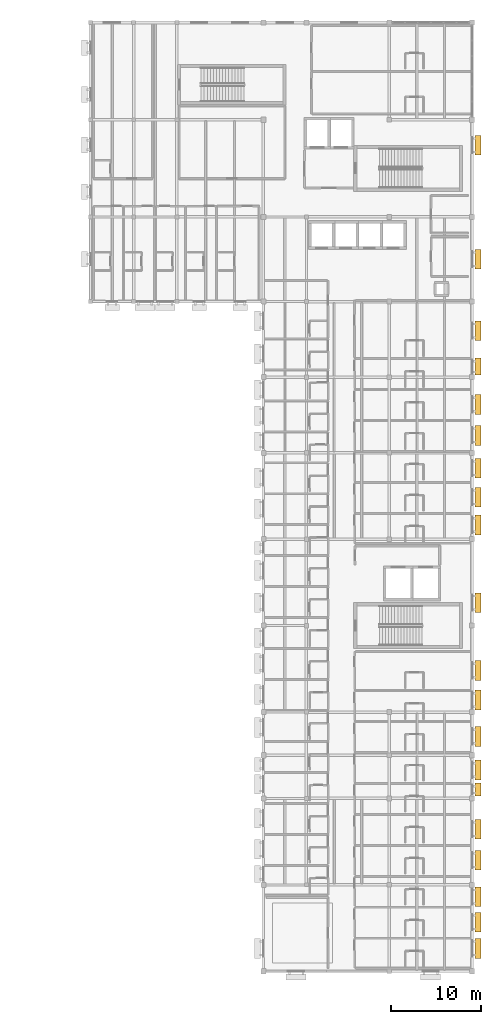
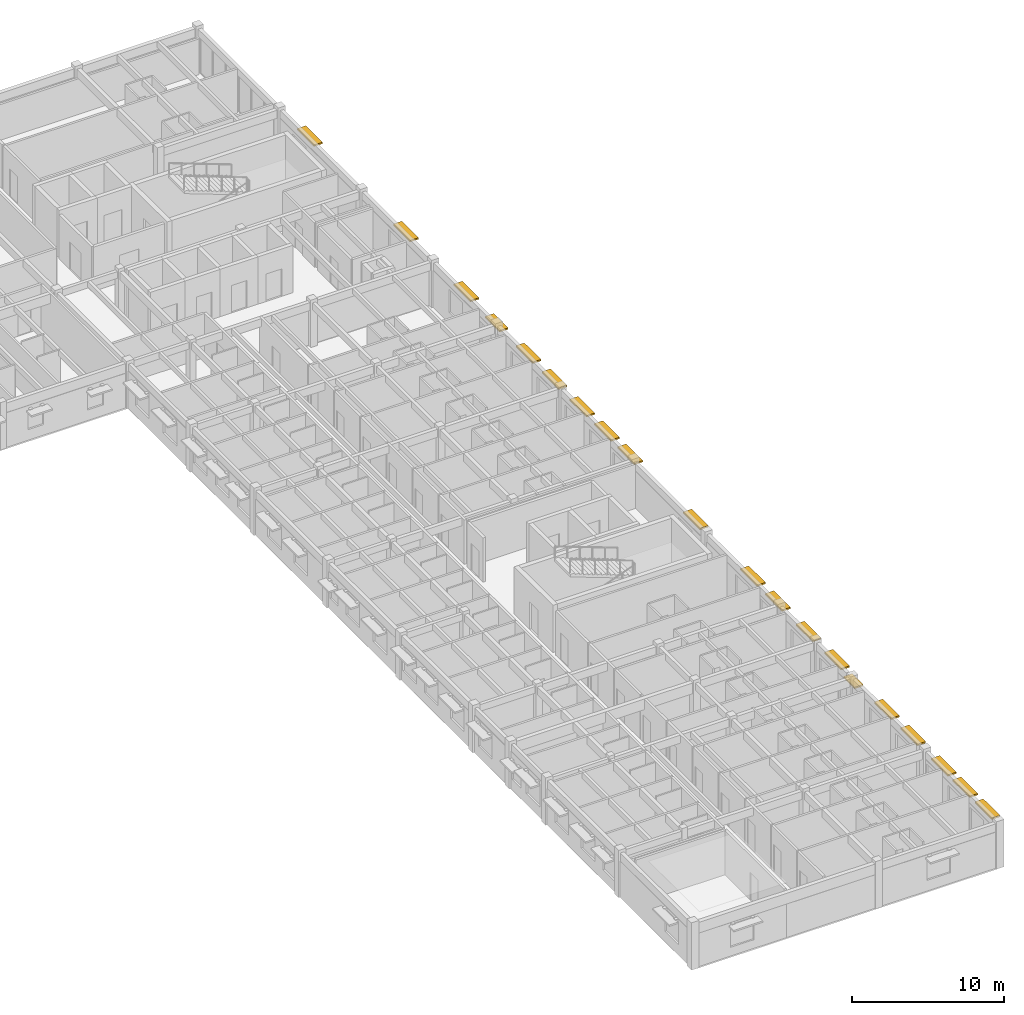
# One storey, part 31 of 31: 20 shading devices.
"""IFC4 building model written with IfcOpenShell, lengths in metres."""

from ifc_helpers import new_model, si_unit, direction, frame, origin, origin_2d, place, context, subcontext, project, spatial, rectangle, extrude, material, type_object, element, save


model = new_model("IFC4")

# Units and contexts
model_context = context("Model", 3, precision=1e-05, world=origin(), true_north=direction((0.0, 1.0)))
body_context = subcontext(model_context, "Body", "Model", "MODEL_VIEW")
ifc_project = project(units=[si_unit("LENGTHUNIT", "METRE"), si_unit("AREAUNIT", "SQUARE_METRE"), si_unit("VOLUMEUNIT", "CUBIC_METRE"), si_unit("PLANEANGLEUNIT", "RADIAN"), si_unit("MASSUNIT", "GRAM", prefix="KILO")], contexts=[model_context])

# Site, building, storey
site_placement = place(None, origin())
site = spatial("IfcSite", under=ifc_project, at=site_placement, CompositionType="ELEMENT")
building_placement = place(site_placement, origin())
building = spatial("IfcBuilding", under=site, at=building_placement, Name="Veldera Park Congress Hotel", CompositionType="ELEMENT")
storey_placement = place(building_placement, frame((0.0, 0.0, 20.0)))
storey = spatial("IfcBuildingStorey", under=building, at=storey_placement, Name="L04", CompositionType="ELEMENT", Elevation=20.0)

# Shading devices
ifc_material = material(Name="Glulam GL28h (NDS 24F-V4)", Category="wood")
shading_device_type = type_object("IfcShadingDeviceType", Name="SHD-LVR300", PredefinedType="JALOUSIE", material=ifc_material)
for number, where, z_axis, x_axis, name in (
    (1, (84.64501953125, -44.861083984375, 2.719970703125), (0.0, 0.0, 1.0), (0.0, 1.0, 0.0), "Glulam Solar Shade 144"),
    (2, (84.64501953125, -6.4609375, 2.719970703125), (0.0, 0.0, 1.0), (0.0, 1.0, 0.0), "Glulam Solar Shade 145"),
    (3, (84.64501953125, 31.699951171875, 2.719970703125), (0.0, 0.0, 1.0), (0.0, 1.0, 0.0), "Glulam Solar Shade 146"),
    (4, (84.64501953125, 44.361083984375, 2.719970703125), (0.0, 0.0, 1.0), (0.0, 1.0, 0.0), "Glulam Solar Shade 147"),
    (5, (84.64501953125, -41.949951171875, 2.719970703125), (0.0, 0.0, 1.0), (0.0, 1.0, 0.0), "Glulam Solar Shade 376"),
    (6, (84.64501953125, -39.1240234375, 2.719970703125), (0.0, 0.0, 1.0), (0.0, 1.0, 0.0), "Glulam Solar Shade 377"),
    (7, (84.64501953125, -35.070068359375, 2.719970703125), (0.0, 0.0, 1.0), (0.0, 1.0, 0.0), "Glulam Solar Shade 378"),
    (8, (84.64501953125, -31.6298828125, 2.719970703125), (0.0, 0.0, 1.0), (0.0, 1.0, 0.0), "Glulam Solar Shade 379"),
):
    element("IfcShadingDevice", number, at=place(storey_placement, frame(where, z_axis=z_axis, x_axis=x_axis)), inside=storey, type_object=shading_device_type, Name=name, PredefinedType="JALOUSIE", context=body_context, shape_type="SweptSolid", body=[
        extrude(rectangle(XDim=2.199951171875, YDim=0.64990234375, at=origin_2d()), origin(), (0.0, 0.0, 1.0), 0.1201171875),
    ])
shading_device_1_placement = place(storey_placement, frame((84.64501953125, -27.22607421875, 2.31982421875), z_axis=(0.0, 0.0, 1.0), x_axis=(0.0, 1.0, 0.0)))
element("IfcShadingDevice", 9, at=shading_device_1_placement, inside=storey, type_object=shading_device_type, Name="Glulam Solar Shade 380", PredefinedType="JALOUSIE", context=body_context, shape_type="SweptSolid", body=[
    extrude(rectangle(XDim=1.449951171875, YDim=0.64990234375, at=origin_2d()), origin(), (0.0, 0.0, 1.0), 0.1201171875),
])
for number, where, z_axis, x_axis, name in (
    (10, (84.64501953125, -25.0439453125, 2.719970703125), (0.0, 0.0, 1.0), (0.0, 1.0, 0.0), "Glulam Solar Shade 381"),
    (11, (84.64501953125, -21.31005859375, 2.719970703125), (0.0, 0.0, 1.0), (0.0, 1.0, 0.0), "Glulam Solar Shade 382"),
    (12, (84.64501953125, -17.26611328125, 2.719970703125), (0.0, 0.0, 1.0), (0.0, 1.0, 0.0), "Glulam Solar Shade 383"),
    (13, (84.64501953125, -13.97998046875, 2.719970703125), (0.0, 0.0, 1.0), (0.0, 1.0, 0.0), "Glulam Solar Shade 384"),
    (14, (84.64501953125, 2.174072265625, 2.719970703125), (0.0, 0.0, 1.0), (0.0, 1.0, 0.0), "Glulam Solar Shade 385"),
    (15, (84.64501953125, 5.25, 2.719970703125), (0.0, 0.0, 1.0), (0.0, 1.0, 0.0), "Glulam Solar Shade 386"),
    (16, (84.64501953125, 8.47607421875, 2.719970703125), (0.0, 0.0, 1.0), (0.0, 1.0, 0.0), "Glulam Solar Shade 387"),
    (17, (84.64501953125, 12.134033203125, 2.719970703125), (0.0, 0.0, 1.0), (0.0, 1.0, 0.0), "Glulam Solar Shade 388"),
    (18, (84.64501953125, 15.570068359375, 2.719970703125), (0.0, 0.0, 1.0), (0.0, 1.0, 0.0), "Glulam Solar Shade 389"),
):
    element("IfcShadingDevice", number, at=place(storey_placement, frame(where, z_axis=z_axis, x_axis=x_axis)), inside=storey, type_object=shading_device_type, Name=name, PredefinedType="JALOUSIE", context=body_context, shape_type="SweptSolid", body=[
        extrude(rectangle(XDim=2.199951171875, YDim=0.64990234375, at=origin_2d()), origin(), (0.0, 0.0, 1.0), 0.1201171875),
    ])
shading_device_2_placement = place(storey_placement, frame((84.64501953125, 19.77392578125, 2.619873046875), z_axis=(0.0, 0.0, 1.0), x_axis=(0.0, 1.0, 0.0)))
element("IfcShadingDevice", 19, at=shading_device_2_placement, inside=storey, type_object=shading_device_type, Name="Glulam Solar Shade 390", PredefinedType="JALOUSIE", context=body_context, shape_type="SweptSolid", body=[
    extrude(rectangle(XDim=1.89990234375, YDim=0.64990234375, at=origin_2d()), origin(), (0.0, 0.0, 1.0), 0.1201171875),
])
shading_device_3_placement = place(storey_placement, frame((84.64501953125, 23.756103515625, 2.719970703125), z_axis=(0.0, 0.0, 1.0), x_axis=(0.0, 1.0, 0.0)))
element("IfcShadingDevice", 20, at=shading_device_3_placement, inside=storey, type_object=shading_device_type, Name="Glulam Solar Shade 391", PredefinedType="JALOUSIE", context=body_context, shape_type="SweptSolid", body=[
    extrude(rectangle(XDim=2.199951171875, YDim=0.64990234375, at=origin_2d()), origin(), (0.0, 0.0, 1.0), 0.1201171875),
])

save(model, "model.ifc")
